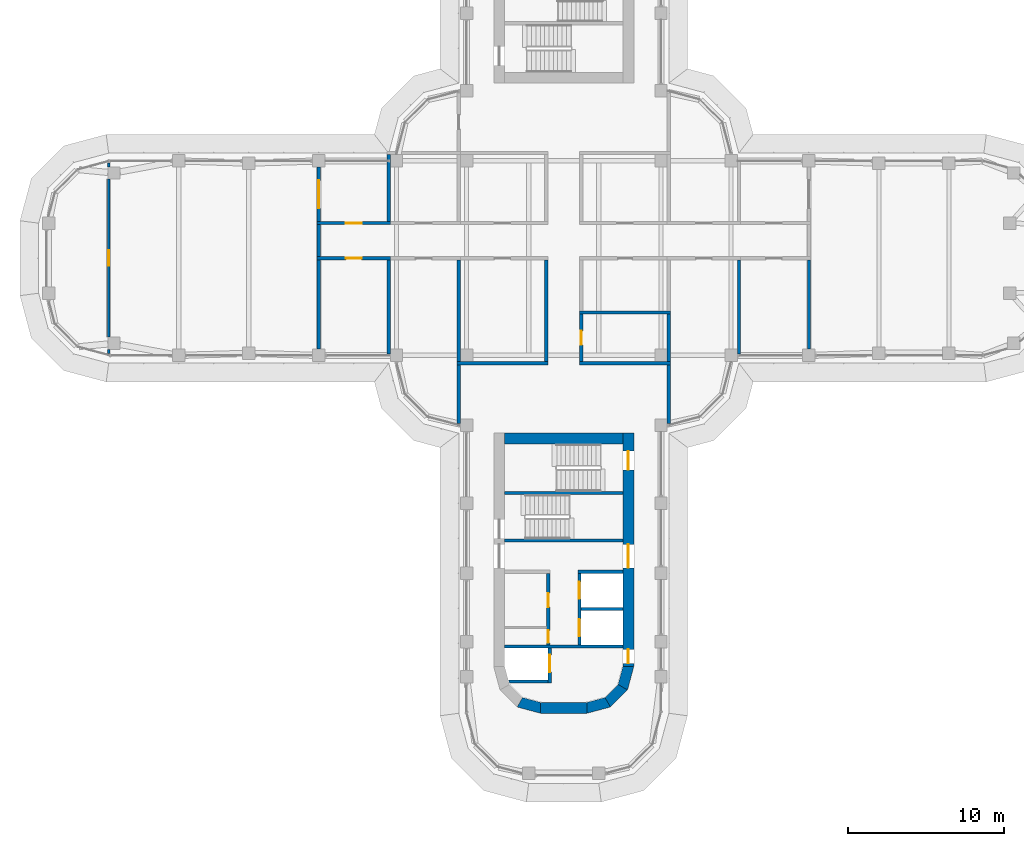
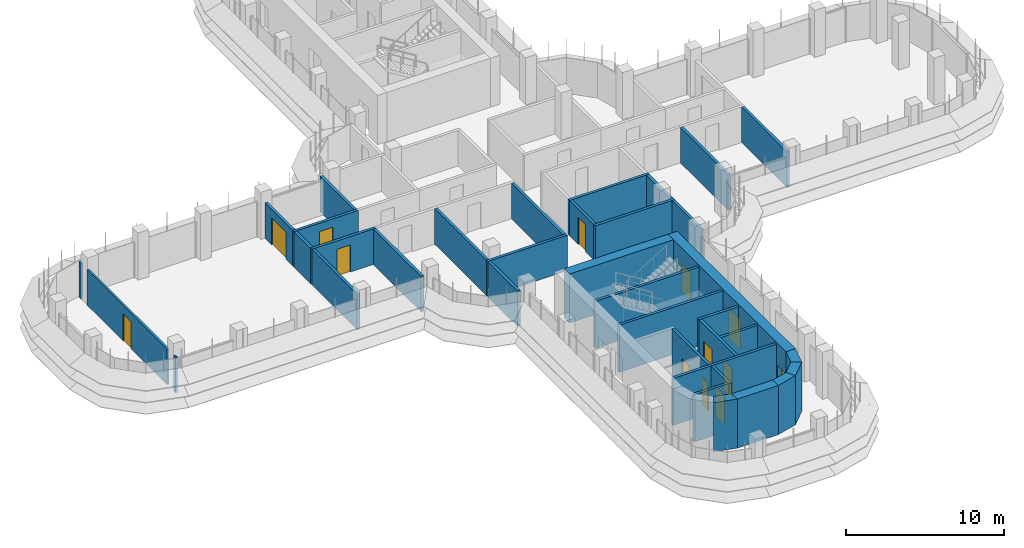
# One storey, part 14 of 20: 37 walls, 13 doors, 13 openings.
"""IFC4 building model written with IfcOpenShell, lengths in metres."""

from ifc_helpers import new_model, si_unit, direction, frame, frame_2d, origin, place, context, subcontext, project, spatial, polyline, rectangle, outline, extrude, material, layer, layer_set, type_object, element, fill, save


model = new_model("IFC4")

# Units and contexts
model_context = context("Model", 3, precision=1e-05, world=origin(), true_north=direction((0.0, 1.0)))
body_context = subcontext(model_context, "Body", "Model", "MODEL_VIEW")
ifc_project = project(units=[si_unit("LENGTHUNIT", "METRE"), si_unit("AREAUNIT", "SQUARE_METRE"), si_unit("VOLUMEUNIT", "CUBIC_METRE"), si_unit("PLANEANGLEUNIT", "RADIAN"), si_unit("MASSUNIT", "GRAM", prefix="KILO")], contexts=[model_context])

# Site, building, storey
site_placement = place(None, origin())
site = spatial("IfcSite", under=ifc_project, at=site_placement, CompositionType="ELEMENT")
building_placement = place(site_placement, origin())
building = spatial("IfcBuilding", under=site, at=building_placement, Name="Zarbagh Exchange Tower", CompositionType="ELEMENT")
storey_placement = place(building_placement, frame((0.0, 0.0, 148.60009765625)))
storey = spatial("IfcBuildingStorey", under=building, at=storey_placement, Name="L35", CompositionType="ELEMENT", Elevation=148.60009765625)

# Wall
ifc_material_1 = material(Name="Plasterboard partition")
ifc_layer_1 = layer(ifc_material_1, 0.14990234375)
ifc_layer_set_1 = layer_set([ifc_layer_1], Name="PARTITION 150")
wall_type_1 = type_object("IfcWallType", Name="PARTITION 150", PredefinedType="PARTITIONING", material=ifc_layer_set_1)
wall_1_placement = place(storey_placement, frame((-29.25, -6.1298828125, 0.0), z_axis=(0.0, 0.0, 1.0), x_axis=(0.0, 1.0, 0.0)))
element("IfcWall", 1, at=wall_1_placement, inside=storey, type_object=wall_type_1, Name="Partition W-1543", PredefinedType="PARTITIONING", context=body_context, shape_type="SweptSolid", body=[
    extrude(rectangle(XDim=0.2548828125, YDim=0.14990234375, at=frame_2d((0.12744140625, 0.0))), origin(), (0.0, 0.0, 1.0), 2.75),
])

# Wall, opening, door
wall_2_placement = place(storey_placement, frame((-29.25, -5.074951171875, 0.0), z_axis=(0.0, 0.0, 1.0), x_axis=(0.0, 1.0, 0.0)))
wall_2 = element("IfcWall", 2, at=wall_2_placement, inside=storey, type_object=wall_type_1, Name="Partition W-1544", PredefinedType="PARTITIONING", context=body_context, shape_type="SweptSolid", body=[
    extrude(rectangle(XDim=10.14990234375, YDim=0.14990234375, at=frame_2d((5.074951171875, 0.0))), origin(), (0.0, 0.0, 1.0), 2.75),
])
opening_1_placement = place(wall_2_placement, frame((4.574951171875, 0.0, 0.0)))
opening_1 = element("IfcOpeningElement", 3, at=opening_1_placement, cuts=wall_2, Name="Opening D-1514", PredefinedType="OPENING", context=body_context, shape_type="SweptSolid", body=[
    extrude(rectangle(XDim=1.0, YDim=2.10009765625, at=frame_2d((0.5, 1.050048828125))), frame((0.0, 0.0849609375, 0.0), z_axis=(0.0, -1.0, 0.0), x_axis=(1.0, 0.0, 0.0)), (0.0, 0.0, 1.0), 0.169921875),
])
ifc_material_2 = material(Name="Timber door leaf", Category="wood")
door_type_1 = type_object("IfcDoorType", Name="DOOR 1000 X 2100", OperationType="NOTDEFINED", PredefinedType="DOOR", material=ifc_material_2)
door_1_placement = place(opening_1_placement, origin())
door_1 = element("IfcDoor", 4, at=door_1_placement, inside=storey, type_object=door_type_1, Name="Door D-1514", OperationType="SINGLE_SWING_RIGHT", OverallHeight=2.10009765625, OverallWidth=1.0, PredefinedType="DOOR", context=body_context, shape_type="SweptSolid", body=[
    extrude(rectangle(XDim=1.0, YDim=2.10009765625, at=frame_2d((0.5, 1.050048828125))), frame((0.0, 0.02490234375, 0.0), z_axis=(0.0, -1.0, 0.0), x_axis=(1.0, 0.0, 0.0)), (0.0, 0.0, 1.0), 0.050048828125),
])
fill(opening_1, door_1)

# Wall
wall_3_placement = place(storey_placement, frame((-29.25, 5.875, 0.0), z_axis=(0.0, 0.0, 1.0), x_axis=(0.0, 1.0, 0.0)))
element("IfcWall", 5, at=wall_3_placement, inside=storey, type_object=wall_type_1, Name="Partition W-1545", PredefinedType="PARTITIONING", context=body_context, shape_type="SweptSolid", body=[
    extrude(rectangle(XDim=0.2548828125, YDim=0.14990234375, at=frame_2d((0.12744140625, 0.0))), origin(), (0.0, 0.0, 1.0), 2.75),
])

# Wall, opening, door
ifc_material_3 = material(Name="Fire-rated plasterboard partition")
ifc_layer_2 = layer(ifc_material_3, 0.199951171875)
ifc_layer_set_2 = layer_set([ifc_layer_2], Name="RATED PARTITION 200")
wall_type_2 = type_object("IfcWallType", Name="RATED PARTITION 200", PredefinedType="PARTITIONING", material=ifc_layer_set_2)
wall_4_placement = place(storey_placement, frame((-15.85009765625, 2.25, 0.0), z_axis=(0.0, 0.0, 1.0), x_axis=(1.0, 0.0, 0.0)))
wall_4 = element("IfcWall", 6, at=wall_4_placement, inside=storey, type_object=wall_type_2, Name="Partition W-1512", PredefinedType="PARTITIONING", context=body_context, shape_type="SweptSolid", body=[
    extrude(rectangle(XDim=4.7001953125, YDim=0.199951171875, at=frame_2d((2.35009765625, 0.0))), origin(), (0.0, 0.0, 1.0), 2.75),
])
opening_2_placement = place(wall_4_placement, frame((1.85009765625, 0.0, 0.0)))
opening_2 = element("IfcOpeningElement", 7, at=opening_2_placement, cuts=wall_4, Name="Opening D-1516", PredefinedType="OPENING", context=body_context, shape_type="SweptSolid", body=[
    extrude(rectangle(XDim=1.0, YDim=2.10009765625, at=frame_2d((0.5, 1.050048828125))), frame((0.0, 0.10986328125, 0.0), z_axis=(0.0, -1.0, 0.0), x_axis=(1.0, 0.0, 0.0)), (0.0, 0.0, 1.0), 0.219970703125),
])
ifc_material_4 = material(Name="Steel door set", Category="steel")
door_type_2 = type_object("IfcDoorType", Name="FIRE DOOR 1000 X 2100 FD30S", OperationType="NOTDEFINED", PredefinedType="DOOR", material=ifc_material_4)
door_2_placement = place(opening_2_placement, origin())
door_2 = element("IfcDoor", 8, at=door_2_placement, inside=storey, type_object=door_type_2, Name="Door D-1516", OperationType="SINGLE_SWING_RIGHT", OverallHeight=2.10009765625, OverallWidth=1.0, PredefinedType="DOOR", context=body_context, shape_type="SweptSolid", body=[
    extrude(rectangle(XDim=1.0, YDim=2.10009765625, at=frame_2d((0.5, 1.050048828125))), frame((0.0, 0.02490234375, 0.0), z_axis=(0.0, -1.0, 0.0), x_axis=(1.0, 0.0, 0.0)), (0.0, 0.0, 1.0), 0.050048828125),
])
fill(opening_2, door_2)

wall_5_placement = place(storey_placement, frame((-11.14990234375, 0.0, 0.0), z_axis=(0.0, 0.0, 1.0), x_axis=(-1.0, 0.0, 0.0)))
wall_5 = element("IfcWall", 9, at=wall_5_placement, inside=storey, type_object=wall_type_2, Name="Partition W-1513", PredefinedType="PARTITIONING", context=body_context, shape_type="SweptSolid", body=[
    extrude(rectangle(XDim=4.7001953125, YDim=0.199951171875, at=frame_2d((2.35009765625, 0.0))), origin(), (0.0, 0.0, 1.0), 2.75),
])
opening_3_placement = place(wall_5_placement, frame((1.85009765625, 0.0, 0.0)))
opening_3 = element("IfcOpeningElement", 10, at=opening_3_placement, cuts=wall_5, Name="Opening D-1517", PredefinedType="OPENING", context=body_context, shape_type="SweptSolid", body=[
    extrude(rectangle(XDim=1.0, YDim=2.10009765625, at=frame_2d((0.5, 1.050048828125))), frame((0.0, 0.10986328125, 0.0), z_axis=(0.0, -1.0, 0.0), x_axis=(1.0, 0.0, 0.0)), (0.0, 0.0, 1.0), 0.219970703125),
])
door_3_placement = place(opening_3_placement, origin())
door_3 = element("IfcDoor", 11, at=door_3_placement, inside=storey, type_object=door_type_2, Name="Door D-1517", OperationType="SINGLE_SWING_RIGHT", OverallHeight=2.10009765625, OverallWidth=1.0, PredefinedType="DOOR", context=body_context, shape_type="SweptSolid", body=[
    extrude(rectangle(XDim=1.0, YDim=2.10009765625, at=frame_2d((0.5, 1.050048828125))), frame((0.0, 0.02490234375, 0.0), z_axis=(0.0, -1.0, 0.0), x_axis=(1.0, 0.0, 0.0)), (0.0, 0.0, 1.0), 0.050048828125),
])
fill(opening_3, door_3)

# Wall
wall_6_placement = place(storey_placement, frame((-15.75, 0.10009765625, 0.0), z_axis=(0.0, 0.0, 1.0), x_axis=(0.0, 1.0, 0.0)))
element("IfcWall", 12, at=wall_6_placement, inside=storey, type_object=wall_type_2, Name="Partition W-1514", PredefinedType="PARTITIONING", context=body_context, shape_type="SweptSolid", body=[
    extrude(rectangle(XDim=2.0498046875, YDim=0.199951171875, at=frame_2d((1.02490234375, 0.0))), origin(), (0.0, 0.0, 1.0), 2.75),
])

# Wall, opening, door
wall_7_placement = place(storey_placement, frame((1.125, -3.60009765625, 0.0), z_axis=(0.0, 0.0, 1.0), x_axis=(0.0, -1.0, 0.0)))
wall_7 = element("IfcWall", 13, at=wall_7_placement, inside=storey, type_object=wall_type_2, Name="Partition W-1518", PredefinedType="PARTITIONING", context=body_context, shape_type="SweptSolid", body=[
    extrude(rectangle(XDim=3.0498046875, YDim=0.199951171875, at=frame_2d((1.52490234375, 0.0))), origin(), (0.0, 0.0, 1.0), 2.75),
])
opening_4_placement = place(wall_7_placement, frame((1.074951171875, 0.0, 0.0)))
opening_4 = element("IfcOpeningElement", 14, at=opening_4_placement, cuts=wall_7, Name="Opening D-1510", PredefinedType="OPENING", context=body_context, shape_type="SweptSolid", body=[
    extrude(rectangle(XDim=0.89990234375, YDim=2.10009765625, at=frame_2d((0.449951171875, 1.050048828125))), frame((0.0, 0.10986328125, 0.0), z_axis=(0.0, -1.0, 0.0), x_axis=(1.0, 0.0, 0.0)), (0.0, 0.0, 1.0), 0.219970703125),
])
door_type_3 = type_object("IfcDoorType", Name="DOOR 900 X 2100", OperationType="NOTDEFINED", PredefinedType="DOOR", material=ifc_material_2)
door_4_placement = place(opening_4_placement, origin())
door_4 = element("IfcDoor", 15, at=door_4_placement, inside=storey, type_object=door_type_3, Name="Door D-1510", OperationType="SINGLE_SWING_LEFT", OverallHeight=2.10009765625, OverallWidth=0.89990234375, PredefinedType="DOOR", context=body_context, shape_type="SweptSolid", body=[
    extrude(rectangle(XDim=0.89990234375, YDim=2.10009765625, at=frame_2d((0.449951171875, 1.050048828125))), frame((0.0, 0.02490234375, 0.0), z_axis=(0.0, -1.0, 0.0), x_axis=(1.0, 0.0, 0.0)), (0.0, 0.0, 1.0), 0.050048828125),
])
fill(opening_4, door_4)

# Walls
wall_8_placement = place(storey_placement, frame((-1.125, -6.64990234375, 0.0), z_axis=(0.0, 0.0, 1.0), x_axis=(0.0, 1.0, 0.0)))
element("IfcWall", 16, at=wall_8_placement, inside=storey, type_object=wall_type_2, Name="Partition W-1519", PredefinedType="PARTITIONING", context=body_context, shape_type="SweptSolid", body=[
    extrude(rectangle(XDim=6.5498046875, YDim=0.199951171875, at=frame_2d((3.27490234375, 0.0))), origin(), (0.0, 0.0, 1.0), 2.75),
])
wall_9_placement = place(storey_placement, frame((1.02490234375, -6.75, 0.0), z_axis=(0.0, 0.0, 1.0), x_axis=(1.0, 0.0, 0.0)))
element("IfcWall", 17, at=wall_9_placement, inside=storey, type_object=wall_type_2, Name="Partition W-1524", PredefinedType="PARTITIONING", context=body_context, shape_type="SweptSolid", body=[
    extrude(rectangle(XDim=5.8251953125, YDim=0.199951171875, at=frame_2d((2.91259765625, 0.0))), origin(), (0.0, 0.0, 1.0), 2.75),
])
wall_10_placement = place(storey_placement, frame((6.75, -10.6298828125, 0.0), z_axis=(0.0, 0.0, 1.0), x_axis=(0.0, 1.0, 0.0)))
element("IfcWall", 18, at=wall_10_placement, inside=storey, type_object=wall_type_2, Name="Partition W-1525", PredefinedType="PARTITIONING", context=body_context, shape_type="SweptSolid", body=[
    extrude(rectangle(XDim=3.77978515625, YDim=0.199951171875, at=frame_2d((1.889892578125, 0.0))), origin(), (0.0, 0.0, 1.0), 2.75),
])
wall_11_placement = place(storey_placement, frame((-6.85009765625, -6.75, 0.0), z_axis=(0.0, 0.0, 1.0), x_axis=(1.0, 0.0, 0.0)))
element("IfcWall", 19, at=wall_11_placement, inside=storey, type_object=wall_type_2, Name="Partition W-1526", PredefinedType="PARTITIONING", context=body_context, shape_type="SweptSolid", body=[
    extrude(rectangle(XDim=5.8251953125, YDim=0.199951171875, at=frame_2d((2.91259765625, 0.0))), origin(), (0.0, 0.0, 1.0), 2.75),
])
wall_12_placement = place(storey_placement, frame((-6.75, -10.6298828125, 0.0), z_axis=(0.0, 0.0, 1.0), x_axis=(0.0, 1.0, 0.0)))
element("IfcWall", 20, at=wall_12_placement, inside=storey, type_object=wall_type_2, Name="Partition W-1527", PredefinedType="PARTITIONING", context=body_context, shape_type="SweptSolid", body=[
    extrude(rectangle(XDim=3.77978515625, YDim=0.199951171875, at=frame_2d((1.889892578125, 0.0))), origin(), (0.0, 0.0, 1.0), 2.75),
])
wall_13_placement = place(storey_placement, frame((-11.25, 2.35009765625, 0.0), z_axis=(0.0, 0.0, 1.0), x_axis=(0.0, 1.0, 0.0)))
element("IfcWall", 21, at=wall_13_placement, inside=storey, type_object=wall_type_2, Name="Partition W-1532", PredefinedType="PARTITIONING", context=body_context, shape_type="SweptSolid", body=[
    extrude(rectangle(XDim=4.2998046875, YDim=0.199951171875, at=frame_2d((2.14990234375, 0.0))), origin(), (0.0, 0.0, 1.0), 2.75),
])
wall_14_placement = place(storey_placement, frame((1.02490234375, -3.5, 0.0), z_axis=(0.0, 0.0, 1.0), x_axis=(1.0, 0.0, 0.0)))
element("IfcWall", 22, at=wall_14_placement, inside=storey, type_object=wall_type_2, Name="Partition W-1533", PredefinedType="PARTITIONING", context=body_context, shape_type="SweptSolid", body=[
    extrude(rectangle(XDim=5.8251953125, YDim=0.199951171875, at=frame_2d((2.91259765625, 0.0))), origin(), (0.0, 0.0, 1.0), 2.75),
])
wall_15_placement = place(storey_placement, frame((6.75, -6.64990234375, 0.0), z_axis=(0.0, 0.0, 1.0), x_axis=(0.0, 1.0, 0.0)))
element("IfcWall", 23, at=wall_15_placement, inside=storey, type_object=wall_type_2, Name="Partition W-1535", PredefinedType="PARTITIONING", context=body_context, shape_type="SweptSolid", body=[
    extrude(rectangle(XDim=3.0498046875, YDim=0.199951171875, at=frame_2d((1.52490234375, 0.0))), origin(), (0.0, 0.0, 1.0), 2.75),
])
wall_16_placement = place(storey_placement, frame((11.25, -6.169921875, 0.0), z_axis=(0.0, 0.0, 1.0), x_axis=(0.0, 1.0, 0.0)))
element("IfcWall", 24, at=wall_16_placement, inside=storey, type_object=wall_type_2, Name="Partition W-1536", PredefinedType="PARTITIONING", context=body_context, shape_type="SweptSolid", body=[
    extrude(rectangle(XDim=6.06982421875, YDim=0.199951171875, at=frame_2d((3.034912109375, 0.0))), origin(), (0.0, 0.0, 1.0), 2.75),
])
wall_17_placement = place(storey_placement, frame((-6.75, -6.64990234375, 0.0), z_axis=(0.0, 0.0, 1.0), x_axis=(0.0, 1.0, 0.0)))
element("IfcWall", 25, at=wall_17_placement, inside=storey, type_object=wall_type_2, Name="Partition W-1537", PredefinedType="PARTITIONING", context=body_context, shape_type="SweptSolid", body=[
    extrude(rectangle(XDim=6.5498046875, YDim=0.199951171875, at=frame_2d((3.27490234375, 0.0))), origin(), (0.0, 0.0, 1.0), 2.75),
])
wall_18_placement = place(storey_placement, frame((-11.25, -6.169921875, 0.0), z_axis=(0.0, 0.0, 1.0), x_axis=(0.0, 1.0, 0.0)))
element("IfcWall", 26, at=wall_18_placement, inside=storey, type_object=wall_type_2, Name="Partition W-1538", PredefinedType="PARTITIONING", context=body_context, shape_type="SweptSolid", body=[
    extrude(rectangle(XDim=6.06982421875, YDim=0.199951171875, at=frame_2d((3.034912109375, 0.0))), origin(), (0.0, 0.0, 1.0), 2.75),
])
wall_19_placement = place(storey_placement, frame((15.75, -5.85009765625, 0.0), z_axis=(0.0, 0.0, 1.0), x_axis=(0.0, 1.0, 0.0)))
element("IfcWall", 27, at=wall_19_placement, inside=storey, type_object=wall_type_2, Name="Partition W-1540", PredefinedType="PARTITIONING", context=body_context, shape_type="SweptSolid", body=[
    extrude(rectangle(XDim=5.75, YDim=0.199951171875, at=frame_2d((2.875, 0.0))), origin(), (0.0, 0.0, 1.0), 2.75),
])

# Wall, opening, door
wall_20_placement = place(storey_placement, frame((-15.75, 2.35009765625, 0.0), z_axis=(0.0, 0.0, 1.0), x_axis=(0.0, 1.0, 0.0)))
wall_20 = element("IfcWall", 28, at=wall_20_placement, inside=storey, type_object=wall_type_2, Name="Partition W-1541", PredefinedType="PARTITIONING", context=body_context, shape_type="SweptSolid", body=[
    extrude(rectangle(XDim=3.5, YDim=0.199951171875, at=frame_2d((1.75, 0.0))), origin(), (0.0, 0.0, 1.0), 2.75),
])
opening_5_placement = place(wall_20_placement, frame((0.85009765625, 0.0, 0.0)))
opening_5 = element("IfcOpeningElement", 29, at=opening_5_placement, cuts=wall_20, Name="Opening D-1515", PredefinedType="OPENING", context=body_context, shape_type="SweptSolid", body=[
    extrude(rectangle(XDim=1.800048828125, YDim=2.10009765625, at=frame_2d((0.89990234375, 1.050048828125))), frame((0.0, 0.10986328125, 0.0), z_axis=(0.0, -1.0, 0.0), x_axis=(1.0, 0.0, 0.0)), (0.0, 0.0, 1.0), 0.219970703125),
])
door_type_4 = type_object("IfcDoorType", Name="FIRE DOUBLE DOOR 1800 X 2100 FD30S", OperationType="DOUBLE_DOOR_SINGLE_SWING", PredefinedType="DOOR", material=ifc_material_4)
door_5_placement = place(opening_5_placement, origin())
door_5 = element("IfcDoor", 30, at=door_5_placement, inside=storey, type_object=door_type_4, Name="Door D-1515", OperationType="DOUBLE_DOOR_SINGLE_SWING", OverallHeight=2.10009765625, OverallWidth=1.800048828125, PredefinedType="DOOR", context=body_context, shape_type="SweptSolid", body=[
    extrude(rectangle(XDim=1.800048828125, YDim=2.10009765625, at=frame_2d((0.89990234375, 1.050048828125))), frame((0.0, 0.02490234375, 0.0), z_axis=(0.0, -1.0, 0.0), x_axis=(1.0, 0.0, 0.0)), (0.0, 0.0, 1.0), 0.050048828125),
])
fill(opening_5, door_5)

# Walls
wall_21_placement = place(storey_placement, frame((-15.75, -5.85009765625, 0.0), z_axis=(0.0, 0.0, 1.0), x_axis=(0.0, 1.0, 0.0)))
element("IfcWall", 31, at=wall_21_placement, inside=storey, type_object=wall_type_2, Name="Partition W-1542", PredefinedType="PARTITIONING", context=body_context, shape_type="SweptSolid", body=[
    extrude(rectangle(XDim=5.75, YDim=0.199951171875, at=frame_2d((2.875, 0.0))), origin(), (0.0, 0.0, 1.0), 2.75),
])
ifc_material_5 = material(Name="Concrete C50/60", Category="concrete")
ifc_layer_3 = layer(ifc_material_5, 0.699951171875)
ifc_layer_set_3 = layer_set([ifc_layer_3], Name="RC core corner wall 700 C50/60")
wall_type_3 = type_object("IfcWallType", Name="RC core corner wall 700 C50/60", PredefinedType="SHEAR", material=ifc_layer_set_3)
wall_22_placement = place(storey_placement, origin())
element("IfcWall", 32, at=wall_22_placement, inside=storey, type_object=wall_type_3, Name="CW6 core S corner W", PredefinedType="SHEAR", context=body_context, shape_type="SweptSolid", body=[
    extrude(outline(polyline([(-3.0, -28.84814453125), (-1.5, -29.25), (-1.5, -28.550048828125), (-2.64990234375, -28.241943359375), (-3.0, -28.84814453125)])), origin(), (0.0, 0.0, 1.0), 3.7998046875),
])
wall_23_placement = place(storey_placement, origin())
element("IfcWall", 33, at=wall_23_placement, inside=storey, type_object=wall_type_3, Name="CW6 core S corner E", PredefinedType="SHEAR", context=body_context, shape_type="SweptSolid", body=[
    extrude(outline(polyline([(4.5, -26.25), (4.09814453125, -27.75), (3.491943359375, -27.39990234375), (3.800048828125, -26.25), (4.5, -26.25)])), origin(), (0.0, 0.0, 1.0), 3.7998046875),
])
wall_24_placement = place(storey_placement, origin())
element("IfcWall", 34, at=wall_24_placement, inside=storey, type_object=wall_type_3, Name="CW6 core S corner E", PredefinedType="SHEAR", context=body_context, shape_type="SweptSolid", body=[
    extrude(outline(polyline([(4.09814453125, -27.75), (3.0, -28.84814453125), (2.64990234375, -28.241943359375), (3.491943359375, -27.39990234375), (4.09814453125, -27.75)])), origin(), (0.0, 0.0, 1.0), 3.7998046875),
])
wall_25_placement = place(storey_placement, origin())
element("IfcWall", 35, at=wall_25_placement, inside=storey, type_object=wall_type_3, Name="CW6 core S corner E", PredefinedType="SHEAR", context=body_context, shape_type="SweptSolid", body=[
    extrude(outline(polyline([(3.0, -28.84814453125), (1.5, -29.25), (1.5, -28.550048828125), (2.64990234375, -28.241943359375), (3.0, -28.84814453125)])), origin(), (0.0, 0.0, 1.0), 3.7998046875),
])

# Wall, openings, doors
ifc_layer_4 = layer(ifc_material_5, 0.699951171875)
ifc_layer_set_4 = layer_set([ifc_layer_4], Name="RC core wall 700 C50/60")
wall_type_4 = type_object("IfcWallType", Name="RC core wall 700 C50/60", PredefinedType="SHEAR", material=ifc_layer_set_4)
wall_26_placement = place(storey_placement, frame((4.14990234375, -11.25, 0.0), z_axis=(0.0, 0.0, 1.0), x_axis=(0.0, -1.0, 0.0)))
wall_26 = element("IfcWall", 36, at=wall_26_placement, inside=storey, type_object=wall_type_4, Name="CW5 core S E", PredefinedType="SHEAR", context=body_context, shape_type="SweptSolid", body=[
    extrude(rectangle(XDim=15.0, YDim=0.699951171875, at=frame_2d((7.5, 0.0))), origin(), (0.0, 0.0, 1.0), 3.7998046875),
])
opening_6_placement = place(wall_26_placement, frame((7.14990234375, 0.0, 0.0)))
opening_6 = element("IfcOpeningElement", 37, at=opening_6_placement, cuts=wall_26, Name="Opening CD1-1500", PredefinedType="OPENING", context=body_context, shape_type="SweptSolid", body=[
    extrude(rectangle(XDim=1.5, YDim=2.300048828125, at=frame_2d((0.75, 1.14990234375))), frame((0.0, 0.35986328125, 0.0), z_axis=(0.0, -1.0, 0.0), x_axis=(1.0, 0.0, 0.0)), (0.0, 0.0, 1.0), 0.719970703125),
])
opening_7_placement = place(wall_26_placement, frame((13.89990234375, 0.0, 0.0)))
opening_7 = element("IfcOpeningElement", 38, at=opening_7_placement, cuts=wall_26, Name="Opening CD2-900", PredefinedType="OPENING", context=body_context, shape_type="SweptSolid", body=[
    extrude(rectangle(XDim=0.89990234375, YDim=2.10009765625, at=frame_2d((0.449951171875, 1.050048828125))), frame((0.0, 0.35986328125, 0.0), z_axis=(0.0, -1.0, 0.0), x_axis=(1.0, 0.0, 0.0)), (0.0, 0.0, 1.0), 0.719970703125),
])
opening_8_placement = place(wall_26_placement, frame((1.14990234375, 0.0, 0.0)))
opening_8 = element("IfcOpeningElement", 39, at=opening_8_placement, cuts=wall_26, Name="Opening SD1-1200", PredefinedType="OPENING", context=body_context, shape_type="SweptSolid", body=[
    extrude(rectangle(XDim=1.199951171875, YDim=2.10009765625, at=frame_2d((0.60009765625, 1.050048828125))), frame((0.0, 0.35986328125, 0.0), z_axis=(0.0, -1.0, 0.0), x_axis=(1.0, 0.0, 0.0)), (0.0, 0.0, 1.0), 0.719970703125),
])
ifc_material_6 = material(Name="Steel", Category="steel")
door_type_5 = type_object("IfcDoorType", Name="Exit stair door 1200 x 2100", OperationType="NOTDEFINED", PredefinedType="DOOR", material=ifc_material_6)
door_6_placement = place(opening_8_placement, origin())
door_6 = element("IfcDoor", 40, at=door_6_placement, inside=storey, type_object=door_type_5, Name="South core stair door ST2", OperationType="SINGLE_SWING_RIGHT", OverallHeight=2.10009765625, OverallWidth=1.199951171875, PredefinedType="DOOR", context=body_context, shape_type="SweptSolid", body=[
    extrude(rectangle(XDim=1.199951171875, YDim=2.10009765625, at=frame_2d((0.60009765625, 1.050048828125))), frame((0.0, 0.02490234375, 0.0), z_axis=(0.0, -1.0, 0.0), x_axis=(1.0, 0.0, 0.0)), (0.0, 0.0, 1.0), 0.050048828125),
])
fill(opening_8, door_6)
door_type_6 = type_object("IfcDoorType", Name="Firefighting lobby door 900 x 2100", OperationType="NOTDEFINED", PredefinedType="DOOR", material=ifc_material_6)
door_7_placement = place(opening_7_placement, origin())
door_7 = element("IfcDoor", 41, at=door_7_placement, inside=storey, type_object=door_type_6, Name="South core firefighting lobby door FF-W", OperationType="SINGLE_SWING_RIGHT", OverallHeight=2.10009765625, OverallWidth=0.89990234375, PredefinedType="DOOR", context=body_context, shape_type="SweptSolid", body=[
    extrude(rectangle(XDim=0.89990234375, YDim=2.10009765625, at=frame_2d((0.449951171875, 1.050048828125))), frame((0.0, 0.02490234375, 0.0), z_axis=(0.0, -1.0, 0.0), x_axis=(1.0, 0.0, 0.0)), (0.0, 0.0, 1.0), 0.050048828125),
])
fill(opening_7, door_7)
door_type_7 = type_object("IfcDoorType", Name="Lift lobby double door 1500 x 2300", OperationType="NOTDEFINED", PredefinedType="DOOR", material=ifc_material_6)
door_8_placement = place(opening_6_placement, origin())
door_8 = element("IfcDoor", 42, at=door_8_placement, inside=storey, type_object=door_type_7, Name="South core lift lobby door LOBBY-W", OperationType="DOUBLE_DOOR_SINGLE_SWING", OverallHeight=2.300048828125, OverallWidth=1.5, PredefinedType="DOOR", context=body_context, shape_type="SweptSolid", body=[
    extrude(rectangle(XDim=1.5, YDim=2.300048828125, at=frame_2d((0.75, 1.14990234375))), frame((0.0, 0.02490234375, 0.0), z_axis=(0.0, -1.0, 0.0), x_axis=(1.0, 0.0, 0.0)), (0.0, 0.0, 1.0), 0.050048828125),
])
fill(opening_6, door_8)

# Walls
wall_27_placement = place(storey_placement, frame((-3.800048828125, -11.60009765625, 0.0), z_axis=(0.0, 0.0, 1.0), x_axis=(1.0, 0.0, 0.0)))
element("IfcWall", 43, at=wall_27_placement, inside=storey, type_object=wall_type_4, Name="CW5 core S inner end", PredefinedType="SHEAR", context=body_context, shape_type="SweptSolid", body=[
    extrude(rectangle(XDim=7.60009765625, YDim=0.699951171875, at=frame_2d((3.800048828125, 0.0))), origin(), (0.0, 0.0, 1.0), 3.7998046875),
])
wall_28_placement = place(storey_placement, frame((-1.5, -28.89990234375, 0.0), z_axis=(0.0, 0.0, 1.0), x_axis=(1.0, 0.0, 0.0)))
element("IfcWall", 44, at=wall_28_placement, inside=storey, type_object=wall_type_4, Name="CW5 core S outer end", PredefinedType="SHEAR", context=body_context, shape_type="SweptSolid", body=[
    extrude(rectangle(XDim=3.0, YDim=0.699951171875, at=frame_2d((1.5, 0.0))), origin(), (0.0, 0.0, 1.0), 3.7998046875),
])
ifc_material_7 = material(Name="Dense blockwork", Category="masonry")
ifc_layer_5 = layer(ifc_material_7, 0.199951171875)
ifc_layer_set_5 = layer_set([ifc_layer_5], Name="Shaft wall 200 mm blockwork")
wall_type_5 = type_object("IfcWallType", Name="Shaft wall 200 mm blockwork", PredefinedType="PARTITIONING", material=ifc_layer_set_5)
wall_29_placement = place(storey_placement, frame((3.800048828125, -20.14990234375, 0.0), z_axis=(0.0, 0.0, 1.0), x_axis=(-1.0, 0.0, 0.0)))
element("IfcWall", 45, at=wall_29_placement, inside=storey, type_object=wall_type_5, Name="South core shaft wall AB-W", PredefinedType="PARTITIONING", context=body_context, shape_type="SweptSolid", body=[
    extrude(rectangle(XDim=2.900146484375, YDim=0.199951171875, at=frame_2d((1.4501953125, 0.0))), origin(), (0.0, 0.0, 1.0), 3.64990234375),
])

# Wall, openings, doors
wall_30_placement = place(storey_placement, frame((1.0, -24.85009765625, 0.0), z_axis=(0.0, 0.0, 1.0), x_axis=(0.0, 1.0, 0.0)))
wall_30 = element("IfcWall", 46, at=wall_30_placement, inside=storey, type_object=wall_type_5, Name="South core shaft wall LW-W", PredefinedType="PARTITIONING", context=body_context, shape_type="SweptSolid", body=[
    extrude(rectangle(XDim=4.60009765625, YDim=0.199951171875, at=frame_2d((2.300048828125, 0.0))), origin(), (0.0, 0.0, 1.0), 3.64990234375),
])
opening_9_placement = place(wall_30_placement, frame((0.550048828125, 0.0, 0.0)))
opening_9 = element("IfcOpeningElement", 47, at=opening_9_placement, cuts=wall_30, Name="Opening LD-1100", PredefinedType="OPENING", context=body_context, shape_type="SweptSolid", body=[
    extrude(rectangle(XDim=1.10009765625, YDim=2.300048828125, at=frame_2d((0.550048828125, 1.14990234375))), frame((0.0, 0.10986328125, 0.0), z_axis=(0.0, -1.0, 0.0), x_axis=(1.0, 0.0, 0.0)), (0.0, 0.0, 1.0), 0.219970703125),
])
opening_10_placement = place(wall_30_placement, frame((2.949951171875, 0.0, 0.0)))
opening_10 = element("IfcOpeningElement", 48, at=opening_10_placement, cuts=wall_30, Name="Opening LD-1100", PredefinedType="OPENING", context=body_context, shape_type="SweptSolid", body=[
    extrude(rectangle(XDim=1.10009765625, YDim=2.300048828125, at=frame_2d((0.550048828125, 1.14990234375))), frame((0.0, 0.10986328125, 0.0), z_axis=(0.0, -1.0, 0.0), x_axis=(1.0, 0.0, 0.0)), (0.0, 0.0, 1.0), 0.219970703125),
])
ifc_material_8 = material(Name="Stainless steel", Category="steel")
door_type_8 = type_object("IfcDoorType", Name="Lift landing door 1100 x 2300", OperationType="NOTDEFINED", PredefinedType="DOOR", material=ifc_material_8)
door_9_placement = place(opening_9_placement, origin())
door_9 = element("IfcDoor", 49, at=door_9_placement, inside=storey, type_object=door_type_8, Name="South core lift landing door LD-P-S1", OperationType="DOUBLE_DOOR_SLIDING", OverallHeight=2.300048828125, OverallWidth=1.10009765625, PredefinedType="DOOR", context=body_context, shape_type="SweptSolid", body=[
    extrude(rectangle(XDim=1.10009765625, YDim=2.300048828125, at=frame_2d((0.550048828125, 1.14990234375))), frame((0.0, 0.02490234375, 0.0), z_axis=(0.0, -1.0, 0.0), x_axis=(1.0, 0.0, 0.0)), (0.0, 0.0, 1.0), 0.050048828125),
])
fill(opening_9, door_9)
door_10_placement = place(opening_10_placement, origin())
door_10 = element("IfcDoor", 50, at=door_10_placement, inside=storey, type_object=door_type_8, Name="South core lift landing door LD-P-S2", OperationType="DOUBLE_DOOR_SLIDING", OverallHeight=2.300048828125, OverallWidth=1.10009765625, PredefinedType="DOOR", context=body_context, shape_type="SweptSolid", body=[
    extrude(rectangle(XDim=1.10009765625, YDim=2.300048828125, at=frame_2d((0.550048828125, 1.14990234375))), frame((0.0, 0.02490234375, 0.0), z_axis=(0.0, -1.0, 0.0), x_axis=(1.0, 0.0, 0.0)), (0.0, 0.0, 1.0), 0.050048828125),
])
fill(opening_10, door_10)

wall_31_placement = place(storey_placement, frame((-1.0, -24.85009765625, 0.0), z_axis=(0.0, 0.0, 1.0), x_axis=(0.0, 1.0, 0.0)))
wall_31 = element("IfcWall", 51, at=wall_31_placement, inside=storey, type_object=wall_type_5, Name="South core shaft wall LW-E", PredefinedType="PARTITIONING", context=body_context, shape_type="SweptSolid", body=[
    extrude(rectangle(XDim=4.60009765625, YDim=0.199951171875, at=frame_2d((2.300048828125, 0.0))), origin(), (0.0, 0.0, 1.0), 3.64990234375),
])
opening_11_placement = place(wall_31_placement, frame((0.125, 0.0, 0.0)))
opening_11 = element("IfcOpeningElement", 52, at=opening_11_placement, cuts=wall_31, Name="Opening CD3-800", PredefinedType="OPENING", context=body_context, shape_type="SweptSolid", body=[
    extrude(rectangle(XDim=0.800048828125, YDim=2.10009765625, at=frame_2d((0.39990234375, 1.050048828125))), frame((0.0, 0.10986328125, 0.0), z_axis=(0.0, -1.0, 0.0), x_axis=(1.0, 0.0, 0.0)), (0.0, 0.0, 1.0), 0.219970703125),
])
opening_12_placement = place(wall_31_placement, frame((2.425048828125, 0.0, 0.0)))
opening_12 = element("IfcOpeningElement", 53, at=opening_12_placement, cuts=wall_31, Name="Opening CD3-900", PredefinedType="OPENING", context=body_context, shape_type="SweptSolid", body=[
    extrude(rectangle(XDim=0.89990234375, YDim=2.10009765625, at=frame_2d((0.449951171875, 1.050048828125))), frame((0.0, 0.10986328125, 0.0), z_axis=(0.0, -1.0, 0.0), x_axis=(1.0, 0.0, 0.0)), (0.0, 0.0, 1.0), 0.219970703125),
])
door_type_9 = type_object("IfcDoorType", Name="Core room door 800 x 2100", OperationType="NOTDEFINED", PredefinedType="DOOR", material=ifc_material_6)
door_11_placement = place(opening_11_placement, origin())
door_11 = element("IfcDoor", 54, at=door_11_placement, inside=storey, type_object=door_type_9, Name="South core Store door RD-E-0", OperationType="SINGLE_SWING_RIGHT", OverallHeight=2.10009765625, OverallWidth=0.800048828125, PredefinedType="DOOR", context=body_context, shape_type="SweptSolid", body=[
    extrude(rectangle(XDim=0.800048828125, YDim=2.10009765625, at=frame_2d((0.39990234375, 1.050048828125))), frame((0.0, 0.02490234375, 0.0), z_axis=(0.0, -1.0, 0.0), x_axis=(1.0, 0.0, 0.0)), (0.0, 0.0, 1.0), 0.050048828125),
])
fill(opening_11, door_11)
door_type_10 = type_object("IfcDoorType", Name="Core room door 900 x 2100", OperationType="NOTDEFINED", PredefinedType="DOOR", material=ifc_material_6)
door_12_placement = place(opening_12_placement, origin())
door_12 = element("IfcDoor", 55, at=door_12_placement, inside=storey, type_object=door_type_10, Name="South core Accessible WC door RD-E-1", OperationType="SINGLE_SWING_LEFT", OverallHeight=2.10009765625, OverallWidth=0.89990234375, PredefinedType="DOOR", context=body_context, shape_type="SweptSolid", body=[
    extrude(rectangle(XDim=0.89990234375, YDim=2.10009765625, at=frame_2d((0.449951171875, 1.050048828125))), frame((0.0, 0.02490234375, 0.0), z_axis=(0.0, -1.0, 0.0), x_axis=(1.0, 0.0, 0.0)), (0.0, 0.0, 1.0), 0.050048828125),
])
fill(opening_12, door_12)

# Walls
wall_32_placement = place(storey_placement, frame((3.800048828125, -22.550048828125, 0.0), z_axis=(0.0, 0.0, 1.0), x_axis=(-1.0, 0.0, 0.0)))
element("IfcWall", 56, at=wall_32_placement, inside=storey, type_object=wall_type_5, Name="South core shaft wall TR-W", PredefinedType="PARTITIONING", context=body_context, shape_type="SweptSolid", body=[
    extrude(rectangle(XDim=2.699951171875, YDim=0.199951171875, at=frame_2d((1.35009765625, 0.0))), origin(), (0.0, 0.0, 1.0), 3.64990234375),
])
ifc_material_9 = material(Name="Concrete C40/50", Category="concrete")
ifc_layer_6 = layer(ifc_material_9, 0.199951171875)
ifc_layer_set_6 = layer_set([ifc_layer_6], Name="Stair enclosure wall 200 mm RC C40/50")
wall_type_6 = type_object("IfcWallType", Name="Stair enclosure wall 200 mm RC C40/50", PredefinedType="SHEAR", material=ifc_layer_set_6)
wall_33_placement = place(storey_placement, frame((3.800048828125, -24.949951171875, 0.0), z_axis=(0.0, 0.0, 1.0), x_axis=(-1.0, 0.0, 0.0)))
element("IfcWall", 57, at=wall_33_placement, inside=storey, type_object=wall_type_6, Name="South core lift shaft wall FFA", PredefinedType="SHEAR", context=body_context, shape_type="SweptSolid", body=[
    extrude(rectangle(XDim=7.60009765625, YDim=0.199951171875, at=frame_2d((3.800048828125, 0.0))), origin(), (0.0, 0.0, 1.0), 3.64990234375),
])

# Wall, opening, door
wall_34_placement = place(storey_placement, frame((-0.89990234375, -27.300048828125, 0.0), z_axis=(0.0, 0.0, 1.0), x_axis=(0.0, 1.0, 0.0)))
wall_34 = element("IfcWall", 58, at=wall_34_placement, inside=storey, type_object=wall_type_6, Name="South core lift shaft wall FFL", PredefinedType="SHEAR", context=body_context, shape_type="SweptSolid", body=[
    extrude(rectangle(XDim=2.25, YDim=0.199951171875, at=frame_2d((1.125, 0.0))), origin(), (0.0, 0.0, 1.0), 3.64990234375),
])
opening_13_placement = place(wall_34_placement, frame((0.699951171875, 0.0, 0.0)))
opening_13 = element("IfcOpeningElement", 59, at=opening_13_placement, cuts=wall_34, Name="Opening LD-1100", PredefinedType="OPENING", context=body_context, shape_type="SweptSolid", body=[
    extrude(rectangle(XDim=1.10009765625, YDim=2.300048828125, at=frame_2d((0.550048828125, 1.14990234375))), frame((0.0, 0.10986328125, 0.0), z_axis=(0.0, -1.0, 0.0), x_axis=(1.0, 0.0, 0.0)), (0.0, 0.0, 1.0), 0.219970703125),
])
door_13_placement = place(opening_13_placement, origin())
door_13 = element("IfcDoor", 60, at=door_13_placement, inside=storey, type_object=door_type_8, Name="South core lift landing door LD-F", OperationType="DOUBLE_DOOR_SLIDING", OverallHeight=2.300048828125, OverallWidth=1.10009765625, PredefinedType="DOOR", context=body_context, shape_type="SweptSolid", body=[
    extrude(rectangle(XDim=1.10009765625, YDim=2.300048828125, at=frame_2d((0.550048828125, 1.14990234375))), frame((0.0, 0.02490234375, 0.0), z_axis=(0.0, -1.0, 0.0), x_axis=(1.0, 0.0, 0.0)), (0.0, 0.0, 1.0), 0.050048828125),
])
fill(opening_13, door_13)

# Walls
wall_35_placement = place(storey_placement, origin())
element("IfcWall", 61, at=wall_35_placement, inside=storey, type_object=wall_type_6, Name="South core lift shaft wall FFX", PredefinedType="SHEAR", context=body_context, shape_type="SweptSolid", body=[
    extrude(outline(polyline([(-1.0, -27.10009765625), (-3.547607421875, -27.10009765625), (-3.493896484375, -27.300048828125), (-1.0, -27.300048828125), (-1.0, -27.10009765625)])), origin(), (0.0, 0.0, 1.0), 3.64990234375),
])
for number, where, z_axis, x_axis, name in (
    (62, (3.800048828125, -18.14990234375, 0.0), (0.0, 0.0, 1.0), (-1.0, 0.0, 0.0), "South core stair wall BS"),
    (63, (3.800048828125, -15.10009765625, 0.0), (0.0, 0.0, 1.0), (-1.0, 0.0, 0.0), "South core stair wall ST12"),
):
    element("IfcWall", number, at=place(storey_placement, frame(where, z_axis=z_axis, x_axis=x_axis)), inside=storey, type_object=wall_type_6, Name=name, PredefinedType="SHEAR", context=body_context, shape_type="SweptSolid", body=[
        extrude(rectangle(XDim=7.60009765625, YDim=0.199951171875, at=frame_2d((3.800048828125, 0.0))), origin(), (0.0, 0.0, 1.0), 3.64990234375),
    ])

save(model, "model.ifc")
